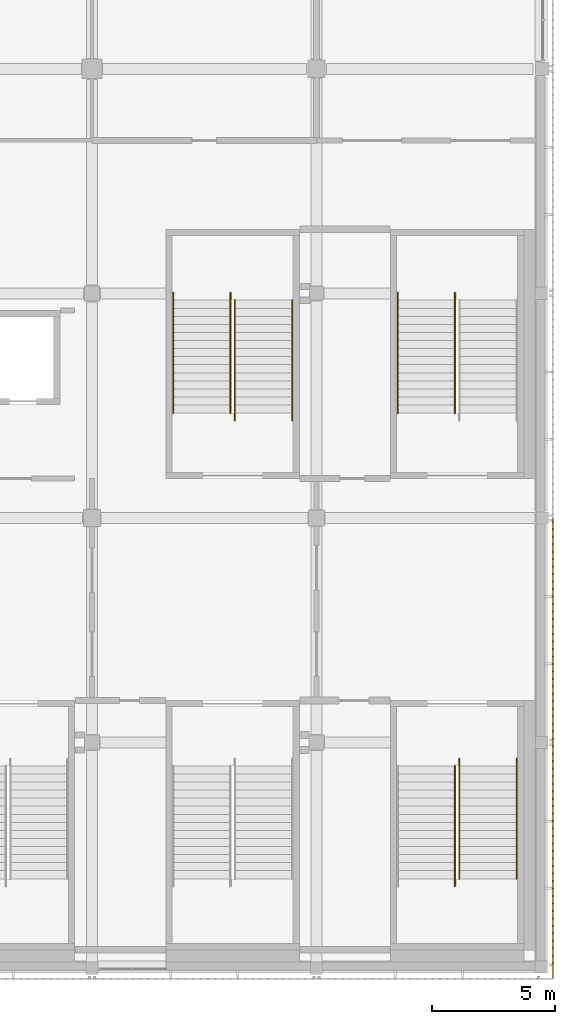
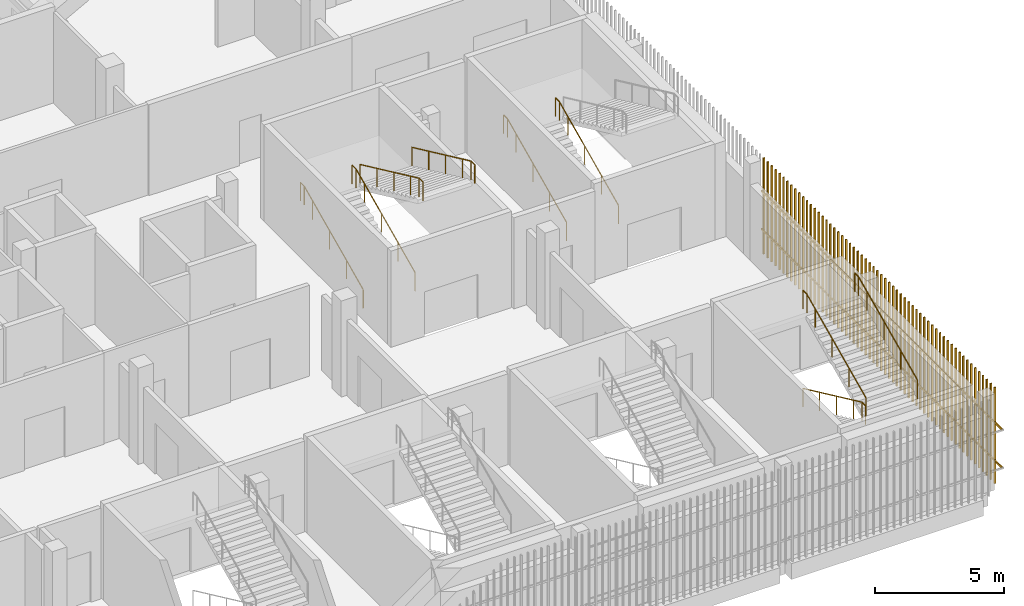
# One storey, part 131 of 139: 9 railings, 2 shading devices.
"""IFC4 building model written with IfcOpenShell, lengths in metres."""

from ifc_helpers import new_model, si_unit, direction, frame, origin, origin_2d, place, context, subcontext, project, spatial, rectangle, circle, extrude, material, type_object, element, save


model = new_model("IFC4")

# Units and contexts
model_context = context("Model", 3, precision=1e-05, world=origin(), true_north=direction((0.0, 1.0)))
body_context = subcontext(model_context, "Body", "Model", "MODEL_VIEW")
ifc_project = project(units=[si_unit("LENGTHUNIT", "METRE"), si_unit("AREAUNIT", "SQUARE_METRE"), si_unit("VOLUMEUNIT", "CUBIC_METRE"), si_unit("PLANEANGLEUNIT", "RADIAN"), si_unit("MASSUNIT", "GRAM", prefix="KILO")], contexts=[model_context])

# Site, building, storey
site_placement = place(None, origin())
site = spatial("IfcSite", under=ifc_project, at=site_placement, CompositionType="ELEMENT")
building_placement = place(site_placement, origin())
building = spatial("IfcBuilding", under=site, at=building_placement, Name="Shirokan Park Arena", CompositionType="ELEMENT")
storey_placement = place(building_placement, frame((0.0, 0.0, 15.469970703125)))
storey = spatial("IfcBuildingStorey", under=building, at=storey_placement, Name="L03", CompositionType="ELEMENT", Elevation=15.469970703125)

# Railings
ifc_material_1 = material(Name="Stainless steel", Category="steel")
railing_type = type_object("IfcRailingType", Name="Stair handrail 900", PredefinedType="HANDRAIL", material=ifc_material_1)
railing_1_placement = place(storey_placement, frame((142.110107421875, 8.14990234375, 0.151611328125)))
element("IfcRailing", 1, at=railing_1_placement, inside=storey, type_object=railing_type, Name="Handrail Exit Stair 2.A L03 to L04", PredefinedType="HANDRAIL", context=body_context, shape_type="SweptSolid", body=[
    extrude(circle(Radius=0.02392578125, at=origin_2d()), frame((0.0, 0.0, 0.8759765625), z_axis=(0.0, -0.906999720516, 0.421131222998), x_axis=(1.0, 0.0, 0.0)), (0.0, 0.0, 1.0), 1.440673828125),
    extrude(circle(Radius=0.02392578125, at=origin_2d()), frame((0.0, -1.306640625, 1.482421875), z_axis=(0.0, -0.907029769225, 0.421066500378), x_axis=(1.0, 0.0, 0.0)), (0.0, 0.0, 1.0), 1.44091796875),
    extrude(circle(Radius=0.02392578125, at=origin_2d()), frame((0.0, -2.613525390625, 2.08935546875), z_axis=(0.0, -0.907029769225, 0.421066500378), x_axis=(1.0, 0.0, 0.0)), (0.0, 0.0, 1.0), 1.44091796875),
    extrude(circle(Radius=0.02392578125, at=origin_2d()), frame((0.0, -3.92041015625, 2.69580078125), z_axis=(0.0, -0.906934982928, 0.421270621741), x_axis=(1.0, 0.0, 0.0)), (0.0, 0.0, 1.0), 0.720458984375),
    extrude(circle(Radius=0.02392578125, at=origin_2d()), frame((0.0, -4.57373046875, 2.99951171875), z_axis=(0.0, -1.0, 0.0), x_axis=(1.0, 0.0, 0.0)), (0.0, 0.0, 1.0), 0.300048828125),
    extrude(circle(Radius=0.02099609375, at=origin_2d()), origin(), (0.0, 0.0, 1.0), 0.851806640625),
    extrude(circle(Radius=0.02099609375, at=origin_2d()), frame((0.0, -1.306640625, 0.606689453125)), (0.0, 0.0, 1.0), 0.851806640625),
    extrude(circle(Radius=0.02099609375, at=origin_2d()), frame((0.0, -2.613525390625, 1.21337890625)), (0.0, 0.0, 1.0), 0.851806640625),
    extrude(circle(Radius=0.02099609375, at=origin_2d()), frame((0.0, -3.92041015625, 1.820068359375)), (0.0, 0.0, 1.0), 0.851806640625),
    extrude(circle(Radius=0.02099609375, at=origin_2d()), frame((0.0, -4.57373046875, 2.12353515625)), (0.0, 0.0, 1.0), 0.851806640625),
    extrude(circle(Radius=0.02099609375, at=origin_2d()), frame((0.0, -4.873779296875, 2.12353515625)), (0.0, 0.0, 1.0), 0.851806640625),
])
railing_2_placement = place(storey_placement, frame((142.2900390625, 3.576171875, 2.4267578125)))
element("IfcRailing", 2, at=railing_2_placement, inside=storey, type_object=railing_type, Name="Handrail Exit Stair 2.A L03 to L04", PredefinedType="HANDRAIL", context=body_context, shape_type="SweptSolid", body=[
    extrude(circle(Radius=0.02392578125, at=origin_2d()), frame((0.0, 0.0, 0.8759765625), z_axis=(0.0, 0.907029769225, 0.421066500378), x_axis=(-1.0, 0.0, 0.0)), (0.0, 0.0, 1.0), 1.44091796875),
    extrude(circle(Radius=0.02392578125, at=origin_2d()), frame((0.0, 1.306884765625, 1.482421875), z_axis=(0.0, 0.906999720516, 0.421131222998), x_axis=(-1.0, 0.0, 0.0)), (0.0, 0.0, 1.0), 1.440673828125),
    extrude(circle(Radius=0.02392578125, at=origin_2d()), frame((0.0, 2.613525390625, 2.08935546875), z_axis=(0.0, 0.907094476872, 0.420927083981), x_axis=(-1.0, 0.0, 0.0)), (0.0, 0.0, 1.0), 1.440673828125),
    extrude(circle(Radius=0.02392578125, at=origin_2d()), frame((0.0, 3.92041015625, 2.69580078125), z_axis=(0.0, 0.906934982928, 0.421270621741), x_axis=(-1.0, 0.0, 0.0)), (0.0, 0.0, 1.0), 0.720458984375),
    extrude(circle(Radius=0.02392578125, at=origin_2d()), frame((0.0, 4.57373046875, 2.9990234375), z_axis=(0.0, 1.0, 0.0), x_axis=(-1.0, 0.0, 0.0)), (0.0, 0.0, 1.0), 0.300048828125),
    extrude(circle(Radius=0.02099609375, at=origin_2d()), origin(), (0.0, 0.0, 1.0), 0.851806640625),
    extrude(circle(Radius=0.02099609375, at=origin_2d()), frame((0.0, 1.306884765625, 0.606689453125)), (0.0, 0.0, 1.0), 0.851806640625),
    extrude(circle(Radius=0.02099609375, at=origin_2d()), frame((0.0, 2.613525390625, 1.21337890625)), (0.0, 0.0, 1.0), 0.851806640625),
    extrude(circle(Radius=0.02099609375, at=origin_2d()), frame((0.0, 3.92041015625, 1.81982421875)), (0.0, 0.0, 1.0), 0.851806640625),
    extrude(circle(Radius=0.02099609375, at=origin_2d()), frame((0.0, 4.57373046875, 2.123291015625)), (0.0, 0.0, 1.0), 0.851806640625),
    extrude(circle(Radius=0.02099609375, at=origin_2d()), frame((0.0, 4.873779296875, 2.123291015625)), (0.0, 0.0, 1.0), 0.851806640625),
])
railing_3_placement = place(storey_placement, frame((144.610107421875, 3.576171875, 2.4267578125)))
element("IfcRailing", 3, at=railing_3_placement, inside=storey, type_object=railing_type, Name="Handrail Exit Stair 2.A L03 to L04", PredefinedType="HANDRAIL", context=body_context, shape_type="SweptSolid", body=[
    extrude(circle(Radius=0.02392578125, at=origin_2d()), frame((0.0, 0.0, 0.8759765625), z_axis=(0.0, 0.907029769225, 0.421066500378), x_axis=(-1.0, 0.0, 0.0)), (0.0, 0.0, 1.0), 1.44091796875),
    extrude(circle(Radius=0.02392578125, at=origin_2d()), frame((0.0, 1.306884765625, 1.482421875), z_axis=(0.0, 0.906999720516, 0.421131222998), x_axis=(-1.0, 0.0, 0.0)), (0.0, 0.0, 1.0), 1.440673828125),
    extrude(circle(Radius=0.02392578125, at=origin_2d()), frame((0.0, 2.613525390625, 2.08935546875), z_axis=(0.0, 0.907094476872, 0.420927083981), x_axis=(-1.0, 0.0, 0.0)), (0.0, 0.0, 1.0), 1.440673828125),
    extrude(circle(Radius=0.02392578125, at=origin_2d()), frame((0.0, 3.92041015625, 2.69580078125), z_axis=(0.0, 0.906934982928, 0.421270621741), x_axis=(-1.0, 0.0, 0.0)), (0.0, 0.0, 1.0), 0.720458984375),
    extrude(circle(Radius=0.02392578125, at=origin_2d()), frame((0.0, 4.57373046875, 2.9990234375), z_axis=(0.0, 1.0, 0.0), x_axis=(-1.0, 0.0, 0.0)), (0.0, 0.0, 1.0), 0.300048828125),
    extrude(circle(Radius=0.02099609375, at=origin_2d()), origin(), (0.0, 0.0, 1.0), 0.851806640625),
    extrude(circle(Radius=0.02099609375, at=origin_2d()), frame((0.0, 1.306884765625, 0.606689453125)), (0.0, 0.0, 1.0), 0.851806640625),
    extrude(circle(Radius=0.02099609375, at=origin_2d()), frame((0.0, 2.613525390625, 1.21337890625)), (0.0, 0.0, 1.0), 0.851806640625),
    extrude(circle(Radius=0.02099609375, at=origin_2d()), frame((0.0, 3.92041015625, 1.81982421875)), (0.0, 0.0, 1.0), 0.851806640625),
    extrude(circle(Radius=0.02099609375, at=origin_2d()), frame((0.0, 4.57373046875, 2.123291015625)), (0.0, 0.0, 1.0), 0.851806640625),
    extrude(circle(Radius=0.02099609375, at=origin_2d()), frame((0.0, 4.873779296875, 2.123291015625)), (0.0, 0.0, 1.0), 0.851806640625),
])
railing_4_placement = place(storey_placement, frame((139.7900390625, 22.449951171875, 0.151611328125)))
element("IfcRailing", 4, at=railing_4_placement, inside=storey, type_object=railing_type, Name="Handrail Exit Stair 2.E L03 to L04", PredefinedType="HANDRAIL", context=body_context, shape_type="SweptSolid", body=[
    extrude(circle(Radius=0.02392578125, at=origin_2d()), frame((0.0, 0.0, 0.8759765625), z_axis=(0.0, 0.907029769225, 0.421066500378), x_axis=(-1.0, 0.0, 0.0)), (0.0, 0.0, 1.0), 1.44091796875),
    extrude(circle(Radius=0.02392578125, at=origin_2d()), frame((0.0, 1.306884765625, 1.482421875), z_axis=(0.0, 0.907029769225, 0.421066500378), x_axis=(-1.0, 0.0, 0.0)), (0.0, 0.0, 1.0), 1.44091796875),
    extrude(circle(Radius=0.02392578125, at=origin_2d()), frame((0.0, 2.61376953125, 2.08935546875), z_axis=(0.0, 0.906999720516, 0.421131222998), x_axis=(-1.0, 0.0, 0.0)), (0.0, 0.0, 1.0), 1.440673828125),
    extrude(circle(Radius=0.02392578125, at=origin_2d()), frame((0.0, 3.92041015625, 2.69580078125), z_axis=(0.0, 0.906934982928, 0.421270621741), x_axis=(-1.0, 0.0, 0.0)), (0.0, 0.0, 1.0), 0.720458984375),
    extrude(circle(Radius=0.02392578125, at=origin_2d()), frame((0.0, 4.57373046875, 2.99951171875), z_axis=(0.0, 1.0, 0.0), x_axis=(-1.0, 0.0, 0.0)), (0.0, 0.0, 1.0), 0.300048828125),
    extrude(circle(Radius=0.02099609375, at=origin_2d()), origin(), (0.0, 0.0, 1.0), 0.851806640625),
    extrude(circle(Radius=0.02099609375, at=origin_2d()), frame((0.0, 1.306884765625, 0.606689453125)), (0.0, 0.0, 1.0), 0.851806640625),
    extrude(circle(Radius=0.02099609375, at=origin_2d()), frame((0.0, 2.61376953125, 1.21337890625)), (0.0, 0.0, 1.0), 0.851806640625),
    extrude(circle(Radius=0.02099609375, at=origin_2d()), frame((0.0, 3.92041015625, 1.820068359375)), (0.0, 0.0, 1.0), 0.851806640625),
    extrude(circle(Radius=0.02099609375, at=origin_2d()), frame((0.0, 4.57373046875, 2.12353515625)), (0.0, 0.0, 1.0), 0.851806640625),
    extrude(circle(Radius=0.02099609375, at=origin_2d()), frame((0.0, 4.873779296875, 2.12353515625)), (0.0, 0.0, 1.0), 0.851806640625),
])
railing_5_placement = place(storey_placement, frame((142.110107421875, 22.449951171875, 0.151611328125)))
element("IfcRailing", 5, at=railing_5_placement, inside=storey, type_object=railing_type, Name="Handrail Exit Stair 2.E L03 to L04", PredefinedType="HANDRAIL", context=body_context, shape_type="SweptSolid", body=[
    extrude(circle(Radius=0.02392578125, at=origin_2d()), frame((0.0, 0.0, 0.8759765625), z_axis=(0.0, 0.907029769225, 0.421066500378), x_axis=(-1.0, 0.0, 0.0)), (0.0, 0.0, 1.0), 1.44091796875),
    extrude(circle(Radius=0.02392578125, at=origin_2d()), frame((0.0, 1.306884765625, 1.482421875), z_axis=(0.0, 0.907029769225, 0.421066500378), x_axis=(-1.0, 0.0, 0.0)), (0.0, 0.0, 1.0), 1.44091796875),
    extrude(circle(Radius=0.02392578125, at=origin_2d()), frame((0.0, 2.61376953125, 2.08935546875), z_axis=(0.0, 0.906999720516, 0.421131222998), x_axis=(-1.0, 0.0, 0.0)), (0.0, 0.0, 1.0), 1.440673828125),
    extrude(circle(Radius=0.02392578125, at=origin_2d()), frame((0.0, 3.92041015625, 2.69580078125), z_axis=(0.0, 0.906934982928, 0.421270621741), x_axis=(-1.0, 0.0, 0.0)), (0.0, 0.0, 1.0), 0.720458984375),
    extrude(circle(Radius=0.02392578125, at=origin_2d()), frame((0.0, 4.57373046875, 2.99951171875), z_axis=(0.0, 1.0, 0.0), x_axis=(-1.0, 0.0, 0.0)), (0.0, 0.0, 1.0), 0.300048828125),
    extrude(circle(Radius=0.02099609375, at=origin_2d()), origin(), (0.0, 0.0, 1.0), 0.851806640625),
    extrude(circle(Radius=0.02099609375, at=origin_2d()), frame((0.0, 1.306884765625, 0.606689453125)), (0.0, 0.0, 1.0), 0.851806640625),
    extrude(circle(Radius=0.02099609375, at=origin_2d()), frame((0.0, 2.61376953125, 1.21337890625)), (0.0, 0.0, 1.0), 0.851806640625),
    extrude(circle(Radius=0.02099609375, at=origin_2d()), frame((0.0, 3.92041015625, 1.820068359375)), (0.0, 0.0, 1.0), 0.851806640625),
    extrude(circle(Radius=0.02099609375, at=origin_2d()), frame((0.0, 4.57373046875, 2.12353515625)), (0.0, 0.0, 1.0), 0.851806640625),
    extrude(circle(Radius=0.02099609375, at=origin_2d()), frame((0.0, 4.873779296875, 2.12353515625)), (0.0, 0.0, 1.0), 0.851806640625),
])
railing_6_placement = place(storey_placement, frame((130.68994140625, 22.449951171875, 0.151611328125)))
element("IfcRailing", 6, at=railing_6_placement, inside=storey, type_object=railing_type, Name="Handrail Exit Stair 2.F L03 to L04", PredefinedType="HANDRAIL", context=body_context, shape_type="SweptSolid", body=[
    extrude(circle(Radius=0.02392578125, at=origin_2d()), frame((0.0, 0.0, 0.8759765625), z_axis=(0.0, 0.907029769225, 0.421066500378), x_axis=(-1.0, 0.0, 0.0)), (0.0, 0.0, 1.0), 1.44091796875),
    extrude(circle(Radius=0.02392578125, at=origin_2d()), frame((0.0, 1.306884765625, 1.482421875), z_axis=(0.0, 0.907029769225, 0.421066500378), x_axis=(-1.0, 0.0, 0.0)), (0.0, 0.0, 1.0), 1.44091796875),
    extrude(circle(Radius=0.02392578125, at=origin_2d()), frame((0.0, 2.61376953125, 2.08935546875), z_axis=(0.0, 0.906999720516, 0.421131222998), x_axis=(-1.0, 0.0, 0.0)), (0.0, 0.0, 1.0), 1.440673828125),
    extrude(circle(Radius=0.02392578125, at=origin_2d()), frame((0.0, 3.92041015625, 2.69580078125), z_axis=(0.0, 0.906934982928, 0.421270621741), x_axis=(-1.0, 0.0, 0.0)), (0.0, 0.0, 1.0), 0.720458984375),
    extrude(circle(Radius=0.02392578125, at=origin_2d()), frame((0.0, 4.57373046875, 2.99951171875), z_axis=(0.0, 1.0, 0.0), x_axis=(-1.0, 0.0, 0.0)), (0.0, 0.0, 1.0), 0.300048828125),
    extrude(circle(Radius=0.02099609375, at=origin_2d()), origin(), (0.0, 0.0, 1.0), 0.851806640625),
    extrude(circle(Radius=0.02099609375, at=origin_2d()), frame((0.0, 1.306884765625, 0.606689453125)), (0.0, 0.0, 1.0), 0.851806640625),
    extrude(circle(Radius=0.02099609375, at=origin_2d()), frame((0.0, 2.61376953125, 1.21337890625)), (0.0, 0.0, 1.0), 0.851806640625),
    extrude(circle(Radius=0.02099609375, at=origin_2d()), frame((0.0, 3.92041015625, 1.820068359375)), (0.0, 0.0, 1.0), 0.851806640625),
    extrude(circle(Radius=0.02099609375, at=origin_2d()), frame((0.0, 4.57373046875, 2.12353515625)), (0.0, 0.0, 1.0), 0.851806640625),
    extrude(circle(Radius=0.02099609375, at=origin_2d()), frame((0.0, 4.873779296875, 2.12353515625)), (0.0, 0.0, 1.0), 0.851806640625),
])
railing_7_placement = place(storey_placement, frame((133.010009765625, 22.449951171875, 0.151611328125)))
element("IfcRailing", 7, at=railing_7_placement, inside=storey, type_object=railing_type, Name="Handrail Exit Stair 2.F L03 to L04", PredefinedType="HANDRAIL", context=body_context, shape_type="SweptSolid", body=[
    extrude(circle(Radius=0.02392578125, at=origin_2d()), frame((0.0, 0.0, 0.8759765625), z_axis=(0.0, 0.907029769225, 0.421066500378), x_axis=(-1.0, 0.0, 0.0)), (0.0, 0.0, 1.0), 1.44091796875),
    extrude(circle(Radius=0.02392578125, at=origin_2d()), frame((0.0, 1.306884765625, 1.482421875), z_axis=(0.0, 0.907029769225, 0.421066500378), x_axis=(-1.0, 0.0, 0.0)), (0.0, 0.0, 1.0), 1.44091796875),
    extrude(circle(Radius=0.02392578125, at=origin_2d()), frame((0.0, 2.61376953125, 2.08935546875), z_axis=(0.0, 0.906999720516, 0.421131222998), x_axis=(-1.0, 0.0, 0.0)), (0.0, 0.0, 1.0), 1.440673828125),
    extrude(circle(Radius=0.02392578125, at=origin_2d()), frame((0.0, 3.92041015625, 2.69580078125), z_axis=(0.0, 0.906934982928, 0.421270621741), x_axis=(-1.0, 0.0, 0.0)), (0.0, 0.0, 1.0), 0.720458984375),
    extrude(circle(Radius=0.02392578125, at=origin_2d()), frame((0.0, 4.57373046875, 2.99951171875), z_axis=(0.0, 1.0, 0.0), x_axis=(-1.0, 0.0, 0.0)), (0.0, 0.0, 1.0), 0.300048828125),
    extrude(circle(Radius=0.02099609375, at=origin_2d()), origin(), (0.0, 0.0, 1.0), 0.851806640625),
    extrude(circle(Radius=0.02099609375, at=origin_2d()), frame((0.0, 1.306884765625, 0.606689453125)), (0.0, 0.0, 1.0), 0.851806640625),
    extrude(circle(Radius=0.02099609375, at=origin_2d()), frame((0.0, 2.61376953125, 1.21337890625)), (0.0, 0.0, 1.0), 0.851806640625),
    extrude(circle(Radius=0.02099609375, at=origin_2d()), frame((0.0, 3.92041015625, 1.820068359375)), (0.0, 0.0, 1.0), 0.851806640625),
    extrude(circle(Radius=0.02099609375, at=origin_2d()), frame((0.0, 4.57373046875, 2.12353515625)), (0.0, 0.0, 1.0), 0.851806640625),
    extrude(circle(Radius=0.02099609375, at=origin_2d()), frame((0.0, 4.873779296875, 2.12353515625)), (0.0, 0.0, 1.0), 0.851806640625),
])
railing_8_placement = place(storey_placement, frame((133.18994140625, 27.023681640625, 2.4267578125)))
element("IfcRailing", 8, at=railing_8_placement, inside=storey, type_object=railing_type, Name="Handrail Exit Stair 2.F L03 to L04", PredefinedType="HANDRAIL", context=body_context, shape_type="SweptSolid", body=[
    extrude(circle(Radius=0.02392578125, at=origin_2d()), frame((0.0, 0.0, 0.8759765625), z_axis=(0.0, -0.906999720516, 0.421131222998), x_axis=(1.0, 0.0, 0.0)), (0.0, 0.0, 1.0), 1.440673828125),
    extrude(circle(Radius=0.02392578125, at=origin_2d()), frame((0.0, -1.306640625, 1.482421875), z_axis=(0.0, -0.907029769225, 0.421066500378), x_axis=(1.0, 0.0, 0.0)), (0.0, 0.0, 1.0), 1.44091796875),
    extrude(circle(Radius=0.02392578125, at=origin_2d()), frame((0.0, -2.613525390625, 2.08935546875), z_axis=(0.0, -0.907064445915, 0.420991794405), x_axis=(1.0, 0.0, 0.0)), (0.0, 0.0, 1.0), 1.4404296875),
    extrude(circle(Radius=0.02392578125, at=origin_2d()), frame((0.0, -3.920166015625, 2.69580078125), z_axis=(0.0, -0.906995101989, 0.421141169881), x_axis=(1.0, 0.0, 0.0)), (0.0, 0.0, 1.0), 0.720703125),
    extrude(circle(Radius=0.02392578125, at=origin_2d()), frame((0.0, -4.57373046875, 2.9990234375), z_axis=(0.0, -1.0, 0.0), x_axis=(1.0, 0.0, 0.0)), (0.0, 0.0, 1.0), 0.300048828125),
    extrude(circle(Radius=0.02099609375, at=origin_2d()), origin(), (0.0, 0.0, 1.0), 0.851806640625),
    extrude(circle(Radius=0.02099609375, at=origin_2d()), frame((0.0, -1.306640625, 0.606689453125)), (0.0, 0.0, 1.0), 0.851806640625),
    extrude(circle(Radius=0.02099609375, at=origin_2d()), frame((0.0, -2.613525390625, 1.21337890625)), (0.0, 0.0, 1.0), 0.851806640625),
    extrude(circle(Radius=0.02099609375, at=origin_2d()), frame((0.0, -3.920166015625, 1.81982421875)), (0.0, 0.0, 1.0), 0.851806640625),
    extrude(circle(Radius=0.02099609375, at=origin_2d()), frame((0.0, -4.57373046875, 2.123291015625)), (0.0, 0.0, 1.0), 0.851806640625),
    extrude(circle(Radius=0.02099609375, at=origin_2d()), frame((0.0, -4.873779296875, 2.123291015625)), (0.0, 0.0, 1.0), 0.851806640625),
])
railing_9_placement = place(storey_placement, frame((135.510009765625, 27.023681640625, 2.4267578125)))
element("IfcRailing", 9, at=railing_9_placement, inside=storey, type_object=railing_type, Name="Handrail Exit Stair 2.F L03 to L04", PredefinedType="HANDRAIL", context=body_context, shape_type="SweptSolid", body=[
    extrude(circle(Radius=0.02392578125, at=origin_2d()), frame((0.0, 0.0, 0.8759765625), z_axis=(0.0, -0.906999720516, 0.421131222998), x_axis=(1.0, 0.0, 0.0)), (0.0, 0.0, 1.0), 1.440673828125),
    extrude(circle(Radius=0.02392578125, at=origin_2d()), frame((0.0, -1.306640625, 1.482421875), z_axis=(0.0, -0.907029769225, 0.421066500378), x_axis=(1.0, 0.0, 0.0)), (0.0, 0.0, 1.0), 1.44091796875),
    extrude(circle(Radius=0.02392578125, at=origin_2d()), frame((0.0, -2.613525390625, 2.08935546875), z_axis=(0.0, -0.907064445915, 0.420991794405), x_axis=(1.0, 0.0, 0.0)), (0.0, 0.0, 1.0), 1.4404296875),
    extrude(circle(Radius=0.02392578125, at=origin_2d()), frame((0.0, -3.920166015625, 2.69580078125), z_axis=(0.0, -0.906995101989, 0.421141169881), x_axis=(1.0, 0.0, 0.0)), (0.0, 0.0, 1.0), 0.720703125),
    extrude(circle(Radius=0.02392578125, at=origin_2d()), frame((0.0, -4.57373046875, 2.9990234375), z_axis=(0.0, -1.0, 0.0), x_axis=(1.0, 0.0, 0.0)), (0.0, 0.0, 1.0), 0.300048828125),
    extrude(circle(Radius=0.02099609375, at=origin_2d()), origin(), (0.0, 0.0, 1.0), 0.851806640625),
    extrude(circle(Radius=0.02099609375, at=origin_2d()), frame((0.0, -1.306640625, 0.606689453125)), (0.0, 0.0, 1.0), 0.851806640625),
    extrude(circle(Radius=0.02099609375, at=origin_2d()), frame((0.0, -2.613525390625, 1.21337890625)), (0.0, 0.0, 1.0), 0.851806640625),
    extrude(circle(Radius=0.02099609375, at=origin_2d()), frame((0.0, -3.920166015625, 1.81982421875)), (0.0, 0.0, 1.0), 0.851806640625),
    extrude(circle(Radius=0.02099609375, at=origin_2d()), frame((0.0, -4.57373046875, 2.123291015625)), (0.0, 0.0, 1.0), 0.851806640625),
    extrude(circle(Radius=0.02099609375, at=origin_2d()), frame((0.0, -4.873779296875, 2.123291015625)), (0.0, 0.0, 1.0), 0.851806640625),
])

# Shading devices
ifc_material_2 = material(Name="Timber louvre veil (cedar)", Category="wood")
shading_device_type = type_object("IfcShadingDeviceType", Name="Timber louvre veil panel", PredefinedType="JALOUSIE", material=ifc_material_2)
shading_device_1_placement = place(storey_placement, origin())
element("IfcShadingDevice", 10, at=shading_device_1_placement, inside=storey, type_object=shading_device_type, Name="Timber louvre veil east bay 1 L03", PredefinedType="JALOUSIE", context=body_context, shape_type="SweptSolid", body=[
    extrude(rectangle(XDim=0.050048828125, YDim=0.080078125, at=origin_2d()), frame((146.0849609375, 0.151611328125, 0.0), z_axis=(0.0, 0.0, 1.0), x_axis=(0.0, 1.0, 0.0)), (0.0, 0.0, 1.0), 4.550048828125),
    extrude(rectangle(XDim=0.050048828125, YDim=0.080078125, at=origin_2d()), frame((146.0849609375, 0.455078125, 0.0), z_axis=(0.0, 0.0, 1.0), x_axis=(0.0, 1.0, 0.0)), (0.0, 0.0, 1.0), 4.550048828125),
    extrude(rectangle(XDim=0.050048828125, YDim=0.080078125, at=origin_2d()), frame((146.0849609375, 0.75830078125, 0.0), z_axis=(0.0, 0.0, 1.0), x_axis=(0.0, 1.0, 0.0)), (0.0, 0.0, 1.0), 4.550048828125),
    extrude(rectangle(XDim=0.050048828125, YDim=0.080078125, at=origin_2d()), frame((146.0849609375, 1.061767578125, 0.0), z_axis=(0.0, 0.0, 1.0), x_axis=(0.0, 1.0, 0.0)), (0.0, 0.0, 1.0), 4.550048828125),
    extrude(rectangle(XDim=0.050048828125, YDim=0.080078125, at=origin_2d()), frame((146.0849609375, 1.364990234375, 0.0), z_axis=(0.0, 0.0, 1.0), x_axis=(0.0, 1.0, 0.0)), (0.0, 0.0, 1.0), 4.550048828125),
    extrude(rectangle(XDim=0.050048828125, YDim=0.080078125, at=origin_2d()), frame((146.0849609375, 1.668212890625, 0.0), z_axis=(0.0, 0.0, 1.0), x_axis=(0.0, 1.0, 0.0)), (0.0, 0.0, 1.0), 4.550048828125),
    extrude(rectangle(XDim=0.050048828125, YDim=0.080078125, at=origin_2d()), frame((146.0849609375, 1.9716796875, 0.0), z_axis=(0.0, 0.0, 1.0), x_axis=(0.0, 1.0, 0.0)), (0.0, 0.0, 1.0), 4.550048828125),
    extrude(rectangle(XDim=0.050048828125, YDim=0.080078125, at=origin_2d()), frame((146.0849609375, 2.27490234375, 0.0), z_axis=(0.0, 0.0, 1.0), x_axis=(0.0, 1.0, 0.0)), (0.0, 0.0, 1.0), 4.550048828125),
    extrude(rectangle(XDim=0.050048828125, YDim=0.080078125, at=origin_2d()), frame((146.0849609375, 2.578369140625, 0.0), z_axis=(0.0, 0.0, 1.0), x_axis=(0.0, 1.0, 0.0)), (0.0, 0.0, 1.0), 4.550048828125),
    extrude(rectangle(XDim=0.050048828125, YDim=0.080078125, at=origin_2d()), frame((146.0849609375, 2.881591796875, 0.0), z_axis=(0.0, 0.0, 1.0), x_axis=(0.0, 1.0, 0.0)), (0.0, 0.0, 1.0), 4.550048828125),
    extrude(rectangle(XDim=0.050048828125, YDim=0.080078125, at=origin_2d()), frame((146.0849609375, 3.18505859375, 0.0), z_axis=(0.0, 0.0, 1.0), x_axis=(0.0, 1.0, 0.0)), (0.0, 0.0, 1.0), 4.550048828125),
    extrude(rectangle(XDim=0.050048828125, YDim=0.080078125, at=origin_2d()), frame((146.0849609375, 3.48828125, 0.0), z_axis=(0.0, 0.0, 1.0), x_axis=(0.0, 1.0, 0.0)), (0.0, 0.0, 1.0), 4.550048828125),
    extrude(rectangle(XDim=0.050048828125, YDim=0.080078125, at=origin_2d()), frame((146.0849609375, 3.791748046875, 0.0), z_axis=(0.0, 0.0, 1.0), x_axis=(0.0, 1.0, 0.0)), (0.0, 0.0, 1.0), 4.550048828125),
    extrude(rectangle(XDim=0.050048828125, YDim=0.080078125, at=origin_2d()), frame((146.0849609375, 4.094970703125, 0.0), z_axis=(0.0, 0.0, 1.0), x_axis=(0.0, 1.0, 0.0)), (0.0, 0.0, 1.0), 4.550048828125),
    extrude(rectangle(XDim=0.050048828125, YDim=0.080078125, at=origin_2d()), frame((146.0849609375, 4.3984375, 0.0), z_axis=(0.0, 0.0, 1.0), x_axis=(0.0, 1.0, 0.0)), (0.0, 0.0, 1.0), 4.550048828125),
    extrude(rectangle(XDim=0.050048828125, YDim=0.080078125, at=origin_2d()), frame((146.0849609375, 4.70166015625, 0.0), z_axis=(0.0, 0.0, 1.0), x_axis=(0.0, 1.0, 0.0)), (0.0, 0.0, 1.0), 4.550048828125),
    extrude(rectangle(XDim=0.050048828125, YDim=0.080078125, at=origin_2d()), frame((146.0849609375, 5.0048828125, 0.0), z_axis=(0.0, 0.0, 1.0), x_axis=(0.0, 1.0, 0.0)), (0.0, 0.0, 1.0), 4.550048828125),
    extrude(rectangle(XDim=0.050048828125, YDim=0.080078125, at=origin_2d()), frame((146.0849609375, 5.308349609375, 0.0), z_axis=(0.0, 0.0, 1.0), x_axis=(0.0, 1.0, 0.0)), (0.0, 0.0, 1.0), 4.550048828125),
    extrude(rectangle(XDim=0.050048828125, YDim=0.080078125, at=origin_2d()), frame((146.0849609375, 5.611572265625, 0.0), z_axis=(0.0, 0.0, 1.0), x_axis=(0.0, 1.0, 0.0)), (0.0, 0.0, 1.0), 4.550048828125),
    extrude(rectangle(XDim=0.050048828125, YDim=0.080078125, at=origin_2d()), frame((146.0849609375, 5.9150390625, 0.0), z_axis=(0.0, 0.0, 1.0), x_axis=(0.0, 1.0, 0.0)), (0.0, 0.0, 1.0), 4.550048828125),
    extrude(rectangle(XDim=0.050048828125, YDim=0.080078125, at=origin_2d()), frame((146.0849609375, 6.21826171875, 0.0), z_axis=(0.0, 0.0, 1.0), x_axis=(0.0, 1.0, 0.0)), (0.0, 0.0, 1.0), 4.550048828125),
    extrude(rectangle(XDim=0.050048828125, YDim=0.080078125, at=origin_2d()), frame((146.0849609375, 6.521728515625, 0.0), z_axis=(0.0, 0.0, 1.0), x_axis=(0.0, 1.0, 0.0)), (0.0, 0.0, 1.0), 4.550048828125),
    extrude(rectangle(XDim=0.050048828125, YDim=0.080078125, at=origin_2d()), frame((146.0849609375, 6.824951171875, 0.0), z_axis=(0.0, 0.0, 1.0), x_axis=(0.0, 1.0, 0.0)), (0.0, 0.0, 1.0), 4.550048828125),
    extrude(rectangle(XDim=0.050048828125, YDim=0.080078125, at=origin_2d()), frame((146.0849609375, 7.12841796875, 0.0), z_axis=(0.0, 0.0, 1.0), x_axis=(0.0, 1.0, 0.0)), (0.0, 0.0, 1.0), 4.550048828125),
    extrude(rectangle(XDim=0.050048828125, YDim=0.080078125, at=origin_2d()), frame((146.0849609375, 7.431640625, 0.0), z_axis=(0.0, 0.0, 1.0), x_axis=(0.0, 1.0, 0.0)), (0.0, 0.0, 1.0), 4.550048828125),
    extrude(rectangle(XDim=0.050048828125, YDim=0.080078125, at=origin_2d()), frame((146.0849609375, 7.735107421875, 0.0), z_axis=(0.0, 0.0, 1.0), x_axis=(0.0, 1.0, 0.0)), (0.0, 0.0, 1.0), 4.550048828125),
    extrude(rectangle(XDim=0.050048828125, YDim=0.080078125, at=origin_2d()), frame((146.0849609375, 8.038330078125, 0.0), z_axis=(0.0, 0.0, 1.0), x_axis=(0.0, 1.0, 0.0)), (0.0, 0.0, 1.0), 4.550048828125),
    extrude(rectangle(XDim=0.050048828125, YDim=0.080078125, at=origin_2d()), frame((146.0849609375, 8.341552734375, 0.0), z_axis=(0.0, 0.0, 1.0), x_axis=(0.0, 1.0, 0.0)), (0.0, 0.0, 1.0), 4.550048828125),
    extrude(rectangle(XDim=0.050048828125, YDim=0.080078125, at=origin_2d()), frame((146.0849609375, 8.64501953125, 0.0), z_axis=(0.0, 0.0, 1.0), x_axis=(0.0, 1.0, 0.0)), (0.0, 0.0, 1.0), 4.550048828125),
    extrude(rectangle(XDim=0.050048828125, YDim=0.080078125, at=origin_2d()), frame((146.0849609375, 8.9482421875, 0.0), z_axis=(0.0, 0.0, 1.0), x_axis=(0.0, 1.0, 0.0)), (0.0, 0.0, 1.0), 4.550048828125),
    extrude(rectangle(XDim=9.544921875, YDim=0.050048828125, at=origin_2d()), frame((146.070068359375, 4.327392578125, 1.06005859375), z_axis=(0.0, 0.0, 1.0), x_axis=(0.0, 1.0, 0.0)), (0.0, 0.0, 1.0), 0.080078125),
    extrude(rectangle(XDim=9.544921875, YDim=0.050048828125, at=origin_2d()), frame((146.070068359375, 4.327392578125, 2.860107421875), z_axis=(0.0, 0.0, 1.0), x_axis=(0.0, 1.0, 0.0)), (0.0, 0.0, 1.0), 0.080078125),
])
shading_device_2_placement = place(storey_placement, origin())
element("IfcShadingDevice", 11, at=shading_device_2_placement, inside=storey, type_object=shading_device_type, Name="Timber louvre veil east bay 2 L03", PredefinedType="JALOUSIE", context=body_context, shape_type="SweptSolid", body=[
    extrude(rectangle(XDim=0.050048828125, YDim=0.080078125, at=origin_2d()), frame((146.0849609375, 9.251708984375, 0.0), z_axis=(0.0, 0.0, 1.0), x_axis=(0.0, 1.0, 0.0)), (0.0, 0.0, 1.0), 4.550048828125),
    extrude(rectangle(XDim=0.050048828125, YDim=0.080078125, at=origin_2d()), frame((146.0849609375, 9.554931640625, 0.0), z_axis=(0.0, 0.0, 1.0), x_axis=(0.0, 1.0, 0.0)), (0.0, 0.0, 1.0), 4.550048828125),
    extrude(rectangle(XDim=0.050048828125, YDim=0.080078125, at=origin_2d()), frame((146.0849609375, 9.8583984375, 0.0), z_axis=(0.0, 0.0, 1.0), x_axis=(0.0, 1.0, 0.0)), (0.0, 0.0, 1.0), 4.550048828125),
    extrude(rectangle(XDim=0.050048828125, YDim=0.080078125, at=origin_2d()), frame((146.0849609375, 10.16162109375, 0.0), z_axis=(0.0, 0.0, 1.0), x_axis=(0.0, 1.0, 0.0)), (0.0, 0.0, 1.0), 4.550048828125),
    extrude(rectangle(XDim=0.050048828125, YDim=0.080078125, at=origin_2d()), frame((146.0849609375, 10.465087890625, 0.0), z_axis=(0.0, 0.0, 1.0), x_axis=(0.0, 1.0, 0.0)), (0.0, 0.0, 1.0), 4.550048828125),
    extrude(rectangle(XDim=0.050048828125, YDim=0.080078125, at=origin_2d()), frame((146.0849609375, 10.768310546875, 0.0), z_axis=(0.0, 0.0, 1.0), x_axis=(0.0, 1.0, 0.0)), (0.0, 0.0, 1.0), 4.550048828125),
    extrude(rectangle(XDim=0.050048828125, YDim=0.080078125, at=origin_2d()), frame((146.0849609375, 11.07177734375, 0.0), z_axis=(0.0, 0.0, 1.0), x_axis=(0.0, 1.0, 0.0)), (0.0, 0.0, 1.0), 4.550048828125),
    extrude(rectangle(XDim=0.050048828125, YDim=0.080078125, at=origin_2d()), frame((146.0849609375, 11.375, 0.0), z_axis=(0.0, 0.0, 1.0), x_axis=(0.0, 1.0, 0.0)), (0.0, 0.0, 1.0), 4.550048828125),
    extrude(rectangle(XDim=0.050048828125, YDim=0.080078125, at=origin_2d()), frame((146.0849609375, 11.67822265625, 0.0), z_axis=(0.0, 0.0, 1.0), x_axis=(0.0, 1.0, 0.0)), (0.0, 0.0, 1.0), 4.550048828125),
    extrude(rectangle(XDim=0.050048828125, YDim=0.080078125, at=origin_2d()), frame((146.0849609375, 11.981689453125, 0.0), z_axis=(0.0, 0.0, 1.0), x_axis=(0.0, 1.0, 0.0)), (0.0, 0.0, 1.0), 4.550048828125),
    extrude(rectangle(XDim=0.050048828125, YDim=0.080078125, at=origin_2d()), frame((146.0849609375, 12.284912109375, 0.0), z_axis=(0.0, 0.0, 1.0), x_axis=(0.0, 1.0, 0.0)), (0.0, 0.0, 1.0), 4.550048828125),
    extrude(rectangle(XDim=0.050048828125, YDim=0.080078125, at=origin_2d()), frame((146.0849609375, 12.58837890625, 0.0), z_axis=(0.0, 0.0, 1.0), x_axis=(0.0, 1.0, 0.0)), (0.0, 0.0, 1.0), 4.550048828125),
    extrude(rectangle(XDim=0.050048828125, YDim=0.080078125, at=origin_2d()), frame((146.0849609375, 12.8916015625, 0.0), z_axis=(0.0, 0.0, 1.0), x_axis=(0.0, 1.0, 0.0)), (0.0, 0.0, 1.0), 4.550048828125),
    extrude(rectangle(XDim=0.050048828125, YDim=0.080078125, at=origin_2d()), frame((146.0849609375, 13.195068359375, 0.0), z_axis=(0.0, 0.0, 1.0), x_axis=(0.0, 1.0, 0.0)), (0.0, 0.0, 1.0), 4.550048828125),
    extrude(rectangle(XDim=0.050048828125, YDim=0.080078125, at=origin_2d()), frame((146.0849609375, 13.498291015625, 0.0), z_axis=(0.0, 0.0, 1.0), x_axis=(0.0, 1.0, 0.0)), (0.0, 0.0, 1.0), 4.550048828125),
    extrude(rectangle(XDim=0.050048828125, YDim=0.080078125, at=origin_2d()), frame((146.0849609375, 13.8017578125, 0.0), z_axis=(0.0, 0.0, 1.0), x_axis=(0.0, 1.0, 0.0)), (0.0, 0.0, 1.0), 4.550048828125),
    extrude(rectangle(XDim=0.050048828125, YDim=0.080078125, at=origin_2d()), frame((146.0849609375, 14.10498046875, 0.0), z_axis=(0.0, 0.0, 1.0), x_axis=(0.0, 1.0, 0.0)), (0.0, 0.0, 1.0), 4.550048828125),
    extrude(rectangle(XDim=0.050048828125, YDim=0.080078125, at=origin_2d()), frame((146.0849609375, 14.408447265625, 0.0), z_axis=(0.0, 0.0, 1.0), x_axis=(0.0, 1.0, 0.0)), (0.0, 0.0, 1.0), 4.550048828125),
    extrude(rectangle(XDim=0.050048828125, YDim=0.080078125, at=origin_2d()), frame((146.0849609375, 14.711669921875, 0.0), z_axis=(0.0, 0.0, 1.0), x_axis=(0.0, 1.0, 0.0)), (0.0, 0.0, 1.0), 4.550048828125),
    extrude(rectangle(XDim=0.050048828125, YDim=0.080078125, at=origin_2d()), frame((146.0849609375, 15.014892578125, 0.0), z_axis=(0.0, 0.0, 1.0), x_axis=(0.0, 1.0, 0.0)), (0.0, 0.0, 1.0), 4.550048828125),
    extrude(rectangle(XDim=0.050048828125, YDim=0.080078125, at=origin_2d()), frame((146.0849609375, 15.318359375, 0.0), z_axis=(0.0, 0.0, 1.0), x_axis=(0.0, 1.0, 0.0)), (0.0, 0.0, 1.0), 4.550048828125),
    extrude(rectangle(XDim=0.050048828125, YDim=0.080078125, at=origin_2d()), frame((146.0849609375, 15.62158203125, 0.0), z_axis=(0.0, 0.0, 1.0), x_axis=(0.0, 1.0, 0.0)), (0.0, 0.0, 1.0), 4.550048828125),
    extrude(rectangle(XDim=0.050048828125, YDim=0.080078125, at=origin_2d()), frame((146.0849609375, 15.925048828125, 0.0), z_axis=(0.0, 0.0, 1.0), x_axis=(0.0, 1.0, 0.0)), (0.0, 0.0, 1.0), 4.550048828125),
    extrude(rectangle(XDim=0.050048828125, YDim=0.080078125, at=origin_2d()), frame((146.0849609375, 16.228271484375, 0.0), z_axis=(0.0, 0.0, 1.0), x_axis=(0.0, 1.0, 0.0)), (0.0, 0.0, 1.0), 4.550048828125),
    extrude(rectangle(XDim=0.050048828125, YDim=0.080078125, at=origin_2d()), frame((146.0849609375, 16.53173828125, 0.0), z_axis=(0.0, 0.0, 1.0), x_axis=(0.0, 1.0, 0.0)), (0.0, 0.0, 1.0), 4.550048828125),
    extrude(rectangle(XDim=0.050048828125, YDim=0.080078125, at=origin_2d()), frame((146.0849609375, 16.8349609375, 0.0), z_axis=(0.0, 0.0, 1.0), x_axis=(0.0, 1.0, 0.0)), (0.0, 0.0, 1.0), 4.550048828125),
    extrude(rectangle(XDim=0.050048828125, YDim=0.080078125, at=origin_2d()), frame((146.0849609375, 17.138427734375, 0.0), z_axis=(0.0, 0.0, 1.0), x_axis=(0.0, 1.0, 0.0)), (0.0, 0.0, 1.0), 4.550048828125),
    extrude(rectangle(XDim=0.050048828125, YDim=0.080078125, at=origin_2d()), frame((146.0849609375, 17.441650390625, 0.0), z_axis=(0.0, 0.0, 1.0), x_axis=(0.0, 1.0, 0.0)), (0.0, 0.0, 1.0), 4.550048828125),
    extrude(rectangle(XDim=0.050048828125, YDim=0.080078125, at=origin_2d()), frame((146.0849609375, 17.7451171875, 0.0), z_axis=(0.0, 0.0, 1.0), x_axis=(0.0, 1.0, 0.0)), (0.0, 0.0, 1.0), 4.550048828125),
    extrude(rectangle(XDim=0.050048828125, YDim=0.080078125, at=origin_2d()), frame((146.0849609375, 18.04833984375, 0.0), z_axis=(0.0, 0.0, 1.0), x_axis=(0.0, 1.0, 0.0)), (0.0, 0.0, 1.0), 4.550048828125),
    extrude(rectangle(XDim=9.10009765625, YDim=0.050048828125, at=origin_2d()), frame((146.070068359375, 13.64990234375, 1.06005859375), z_axis=(0.0, 0.0, 1.0), x_axis=(0.0, 1.0, 0.0)), (0.0, 0.0, 1.0), 0.080078125),
    extrude(rectangle(XDim=9.10009765625, YDim=0.050048828125, at=origin_2d()), frame((146.070068359375, 13.64990234375, 2.860107421875), z_axis=(0.0, 0.0, 1.0), x_axis=(0.0, 1.0, 0.0)), (0.0, 0.0, 1.0), 0.080078125),
])

save(model, "model.ifc")
